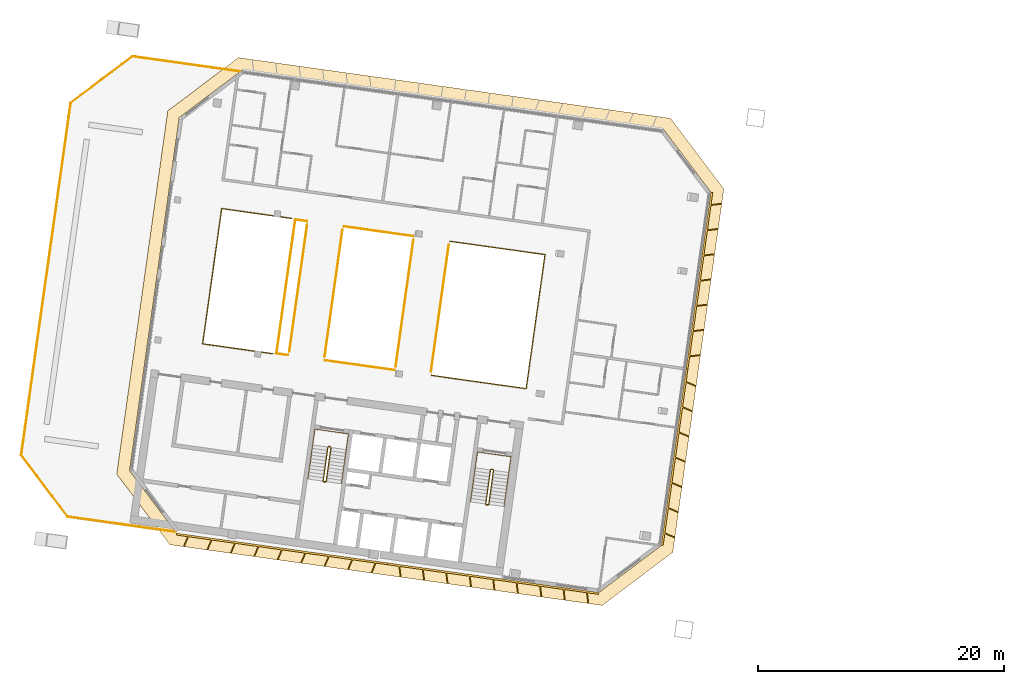
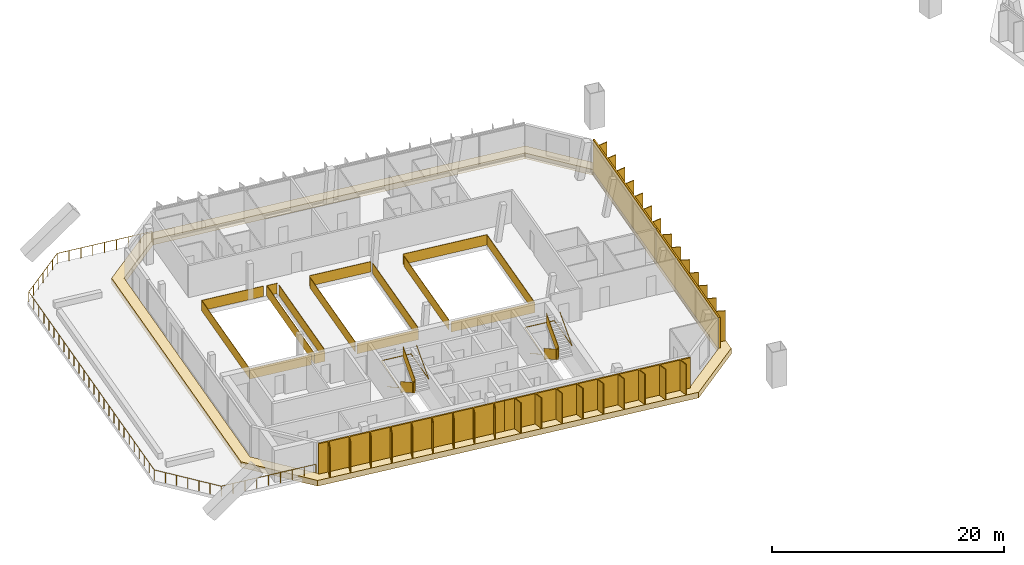
# One storey, part 17 of 19: 14 railings, 4 shading devices, 1 covering.
"""IFC4 building model written with IfcOpenShell, lengths in metres."""

from ifc_helpers import new_model, si_unit, direction, frame, origin, origin_2d, place, context, subcontext, project, spatial, polyline, rectangle, outline, extrude, material, layer, layer_set, type_object, element, save


model = new_model("IFC4")

# Units and contexts
model_context = context("Model", 3, precision=1e-05, world=origin(), true_north=direction((0.0, 1.0)))
body_context = subcontext(model_context, "Body", "Model", "MODEL_VIEW")
ifc_project = project(units=[si_unit("LENGTHUNIT", "METRE"), si_unit("AREAUNIT", "SQUARE_METRE"), si_unit("VOLUMEUNIT", "CUBIC_METRE"), si_unit("PLANEANGLEUNIT", "RADIAN"), si_unit("MASSUNIT", "GRAM", prefix="KILO")], contexts=[model_context])

# Site, building, storey
site_placement = place(None, origin())
site = spatial("IfcSite", under=ifc_project, at=site_placement, CompositionType="ELEMENT")
building_placement = place(site_placement, origin())
building = spatial("IfcBuilding", under=site, at=building_placement, Name="Mirante Cascada Hotel Towers", CompositionType="ELEMENT")
storey_placement = place(building_placement, frame((0.0, 0.0, 231.8)))
storey = spatial("IfcBuildingStorey", under=building, at=storey_placement, Name="L55", CompositionType="ELEMENT", Elevation=231.8)

# Railings
ifc_material_1 = material(Name="Toughened glass with stainless steel handrail", Category="steel")
railing_type_1 = type_object("IfcRailingType", Name="Atrium guard 1100 glass balustrade", PredefinedType="GUARDRAIL", material=ifc_material_1)
railing_1_placement = place(storey_placement, frame((-41.6219, 7.308, 0.0)))
element("IfcRailing", 1, at=railing_1_placement, inside=storey, type_object=railing_type_1, Name="GUARD 1-L55-1", PredefinedType="GUARDRAIL", context=body_context, shape_type="SweptSolid", body=[
    extrude(rectangle(XDim=0.048, YDim=0.048, at=origin_2d()), frame((0.0, 0.0, 1.076), z_axis=(0.9902688, -0.1391679, 0.0), x_axis=(0.1391679, 0.9902688, 0.0)), (0.0, 0.0, 1.0), 7.8042),
    extrude(rectangle(XDim=0.02, YDim=1.052, at=origin_2d()), frame((0.0, 0.0, 0.526), z_axis=(0.9902688, -0.1391679, 0.0), x_axis=(0.1391679, 0.9902688, 0.0)), (0.0, 0.0, 1.0), 7.8042),
    extrude(rectangle(XDim=0.048, YDim=0.048, at=origin_2d()), frame((7.7283, -1.0861, 1.076), z_axis=(-0.1391733, -0.990268, 0.0), x_axis=(0.990268, -0.1391733, 0.0)), (0.0, 0.0, 1.0), 11.0),
    extrude(rectangle(XDim=0.02, YDim=1.052, at=origin_2d()), frame((7.7283, -1.0861, 0.526), z_axis=(-0.1391733, -0.990268, 0.0), x_axis=(0.990268, -0.1391733, 0.0)), (0.0, 0.0, 1.0), 11.0),
    extrude(rectangle(XDim=0.048, YDim=0.048, at=origin_2d()), frame((6.1974, -11.979, 1.076), z_axis=(-0.9902688, 0.1391679, 0.0), x_axis=(-0.1391679, -0.9902688, 0.0)), (0.0, 0.0, 1.0), 7.8042),
    extrude(rectangle(XDim=0.02, YDim=1.052, at=origin_2d()), frame((6.1974, -11.979, 0.526), z_axis=(-0.9902688, 0.1391679, 0.0), x_axis=(-0.1391679, -0.9902688, 0.0)), (0.0, 0.0, 1.0), 7.8042),
])
railing_2_placement = place(storey_placement, frame((-46.1236, -3.1674, 0.0)))
element("IfcRailing", 2, at=railing_2_placement, inside=storey, type_object=railing_type_1, Name="GUARD 1-L55-2", PredefinedType="GUARDRAIL", context=body_context, shape_type="SweptSolid", body=[
    extrude(rectangle(XDim=0.048, YDim=0.048, at=origin_2d()), frame((0.0, 0.0, 1.076), z_axis=(-0.9902686, 0.139169, 0.0), x_axis=(-0.139169, -0.9902686, 0.0)), (0.0, 0.0, 1.0), 5.7319),
    extrude(rectangle(XDim=0.02, YDim=1.052, at=origin_2d()), frame((0.0, 0.0, 0.526), z_axis=(-0.9902686, 0.139169, 0.0), x_axis=(-0.139169, -0.9902686, 0.0)), (0.0, 0.0, 1.0), 5.7319),
])
railing_3_placement = place(storey_placement, frame((-50.2688, 8.5233, 0.0)))
element("IfcRailing", 3, at=railing_3_placement, inside=storey, type_object=railing_type_1, Name="GUARD 1-L55-3", PredefinedType="GUARDRAIL", context=body_context, shape_type="SweptSolid", body=[
    extrude(rectangle(XDim=0.048, YDim=0.048, at=origin_2d()), frame((0.0, 0.0, 1.076), z_axis=(0.9902686, -0.139169, 0.0), x_axis=(0.139169, 0.9902686, 0.0)), (0.0, 0.0, 1.0), 5.7319),
    extrude(rectangle(XDim=0.02, YDim=1.052, at=origin_2d()), frame((0.0, 0.0, 0.526), z_axis=(0.9902686, -0.139169, 0.0), x_axis=(0.139169, 0.9902686, 0.0)), (0.0, 0.0, 1.0), 5.7319),
])
railing_4_placement = place(storey_placement, frame((-54.7705, -1.9521, 0.0)))
element("IfcRailing", 4, at=railing_4_placement, inside=storey, type_object=railing_type_1, Name="GUARD 1-L55-4", PredefinedType="GUARDRAIL", context=body_context, shape_type="SweptSolid", body=[
    extrude(rectangle(XDim=0.048, YDim=0.048, at=origin_2d()), frame((0.0, 0.0, 1.076), z_axis=(-0.9902747, 0.1391261, 0.0), x_axis=(-0.1391261, -0.9902747, 0.0)), (0.0, 0.0, 1.0), 0.9639),
    extrude(rectangle(XDim=0.02, YDim=1.052, at=origin_2d()), frame((0.0, 0.0, 0.526), z_axis=(-0.9902747, 0.1391261, 0.0), x_axis=(-0.1391261, -0.9902747, 0.0)), (0.0, 0.0, 1.0), 0.9639),
    extrude(rectangle(XDim=0.048, YDim=0.048, at=origin_2d()), frame((-0.9545, 0.1341, 1.076), z_axis=(0.1391721, 0.9902682, 0.0), x_axis=(-0.9902682, 0.1391721, 0.0)), (0.0, 0.0, 1.0), 11.0001),
    extrude(rectangle(XDim=0.02, YDim=1.052, at=origin_2d()), frame((-0.9545, 0.1341, 0.526), z_axis=(0.1391721, 0.9902682, 0.0), x_axis=(-0.9902682, 0.1391721, 0.0)), (0.0, 0.0, 1.0), 11.0001),
    extrude(rectangle(XDim=0.048, YDim=0.048, at=origin_2d()), frame((0.5764, 11.0271, 1.076), z_axis=(0.9902604, -0.1392278, 0.0), x_axis=(0.1392278, 0.9902604, 0.0)), (0.0, 0.0, 1.0), 0.9639),
    extrude(rectangle(XDim=0.02, YDim=1.052, at=origin_2d()), frame((0.5764, 11.0271, 0.526), z_axis=(0.9902604, -0.1392278, 0.0), x_axis=(0.1392278, 0.9902604, 0.0)), (0.0, 0.0, 1.0), 0.9639),
])
railing_5_placement = place(storey_placement, frame((-54.4798, 9.1656, 0.0)))
element("IfcRailing", 5, at=railing_5_placement, inside=storey, type_object=railing_type_1, Name="GUARD 1-L55-5", PredefinedType="GUARDRAIL", context=body_context, shape_type="SweptSolid", body=[
    extrude(rectangle(XDim=0.048, YDim=0.048, at=origin_2d()), frame((0.0, 0.0, 1.076), z_axis=(-0.9902674, 0.1391779, 0.0), x_axis=(-0.1391779, -0.9902674, 0.0)), (0.0, 0.0, 1.0), 5.7545),
    extrude(rectangle(XDim=0.02, YDim=1.052, at=origin_2d()), frame((0.0, 0.0, 0.526), z_axis=(-0.9902674, 0.1391779, 0.0), x_axis=(-0.1391779, -0.9902674, 0.0)), (0.0, 0.0, 1.0), 5.7545),
    extrude(rectangle(XDim=0.048, YDim=0.048, at=origin_2d()), frame((-5.6985, 0.8009, 1.076), z_axis=(-0.1391697, -0.9902686, 0.0), x_axis=(0.9902686, -0.1391697, 0.0)), (0.0, 0.0, 1.0), 11.1001),
    extrude(rectangle(XDim=0.02, YDim=1.052, at=origin_2d()), frame((-5.6985, 0.8009, 0.526), z_axis=(-0.1391697, -0.9902686, 0.0), x_axis=(0.9902686, -0.1391697, 0.0)), (0.0, 0.0, 1.0), 11.1001),
    extrude(rectangle(XDim=0.048, YDim=0.048, at=origin_2d()), frame((-7.2433, -10.1912, 1.076), z_axis=(0.9902698, -0.1391608, 0.0), x_axis=(0.1391608, 0.9902698, 0.0)), (0.0, 0.0, 1.0), 5.7545),
    extrude(rectangle(XDim=0.02, YDim=1.052, at=origin_2d()), frame((-7.2433, -10.1912, 0.526), z_axis=(0.9902698, -0.1391608, 0.0), x_axis=(0.1391608, 0.9902698, 0.0)), (0.0, 0.0, 1.0), 5.7545),
])
railing_6_placement = place(storey_placement, frame((-54.6808, -1.6662, 0.0)))
element("IfcRailing", 6, at=railing_6_placement, inside=storey, type_object=railing_type_1, Name="GUARD 1-L55-6", PredefinedType="GUARDRAIL", context=body_context, shape_type="SweptSolid", body=[
    extrude(rectangle(XDim=0.048, YDim=0.048, at=origin_2d()), frame((0.0, 0.0, 1.076), z_axis=(0.1391721, 0.9902682, 0.0), x_axis=(-0.9902682, 0.1391721, 0.0)), (0.0, 0.0, 1.0), 10.4087),
    extrude(rectangle(XDim=0.02, YDim=1.052, at=origin_2d()), frame((0.0, 0.0, 0.526), z_axis=(0.1391721, 0.9902682, 0.0), x_axis=(-0.9902682, 0.1391721, 0.0)), (0.0, 0.0, 1.0), 10.4087),
])
railing_7_placement = place(storey_placement, frame((-50.3585, 8.2373, 0.0)))
element("IfcRailing", 7, at=railing_7_placement, inside=storey, type_object=railing_type_1, Name="GUARD 1-L55-7", PredefinedType="GUARDRAIL", context=body_context, shape_type="SweptSolid", body=[
    extrude(rectangle(XDim=0.048, YDim=0.048, at=origin_2d()), frame((0.0, 0.0, 1.076), z_axis=(-0.1391721, -0.9902682, 0.0), x_axis=(0.9902682, -0.1391721, 0.0)), (0.0, 0.0, 1.0), 10.4087),
    extrude(rectangle(XDim=0.02, YDim=1.052, at=origin_2d()), frame((0.0, 0.0, 0.526), z_axis=(-0.1391721, -0.9902682, 0.0), x_axis=(0.9902682, -0.1391721, 0.0)), (0.0, 0.0, 1.0), 10.4087),
])
railing_8_placement = place(storey_placement, frame((-46.0339, -2.8814, 0.0)))
element("IfcRailing", 8, at=railing_8_placement, inside=storey, type_object=railing_type_1, Name="GUARD 1-L55-8", PredefinedType="GUARDRAIL", context=body_context, shape_type="SweptSolid", body=[
    extrude(rectangle(XDim=0.048, YDim=0.048, at=origin_2d()), frame((0.0, 0.0, 1.076), z_axis=(0.1391721, 0.9902682, 0.0), x_axis=(-0.9902682, 0.1391721, 0.0)), (0.0, 0.0, 1.0), 10.4087),
    extrude(rectangle(XDim=0.02, YDim=1.052, at=origin_2d()), frame((0.0, 0.0, 0.526), z_axis=(0.1391721, 0.9902682, 0.0), x_axis=(-0.9902682, 0.1391721, 0.0)), (0.0, 0.0, 1.0), 10.4087),
])
railing_9_placement = place(storey_placement, frame((-41.7116, 7.0221, 0.0)))
element("IfcRailing", 9, at=railing_9_placement, inside=storey, type_object=railing_type_1, Name="GUARD 1-L55-9", PredefinedType="GUARDRAIL", context=body_context, shape_type="SweptSolid", body=[
    extrude(rectangle(XDim=0.048, YDim=0.048, at=origin_2d()), frame((0.0, 0.0, 1.076), z_axis=(-0.1391721, -0.9902682, 0.0), x_axis=(0.9902682, -0.1391721, 0.0)), (0.0, 0.0, 1.0), 10.4087),
    extrude(rectangle(XDim=0.02, YDim=1.052, at=origin_2d()), frame((0.0, 0.0, 0.526), z_axis=(-0.1391721, -0.9902682, 0.0), x_axis=(0.9902682, -0.1391721, 0.0)), (0.0, 0.0, 1.0), 10.4087),
])

# Covering
ifc_material_2 = material(Name="Precast concrete C40/50 white", Category="concrete")
ifc_layer = layer(ifc_material_2, 0.6)
ifc_layer_set = layer_set([ifc_layer], Name="Precast concrete SUNSHADE band 1000x600")
covering_type = type_object("IfcCoveringType", Name="Precast concrete SUNSHADE band 1000x600", PredefinedType="CLADDING", material=ifc_layer_set)
covering_placement = place(storey_placement, frame((0.0, 0.0, -0.45)))
element("IfcCovering", 10, at=covering_placement, inside=storey, type_object=covering_type, Name="Precast concrete SUNSHADE band T1 L55", PredefinedType="CLADDING", context=body_context, shape_type="SweptSolid", body=[
    extrude(outline(polyline([(-68.7156, -11.6197), (-64.5643, 17.9185), (-58.8202, 22.247), (-23.6774, 17.308), (-19.3489, 11.5639), (-23.5003, -17.9743), (-29.2443, -22.3028), (-64.3871, -17.3638), (-68.7156, -11.6197)]), holes=[polyline([(-20.3969, 11.2929), (-24.2268, 16.3754), (-58.5492, 21.199), (-63.6316, 17.3691), (-67.6677, -11.3487), (-63.8377, -16.4311), (-29.5154, -21.2548), (-24.4329, -17.4249), (-20.3969, 11.2929)])]), origin(), (0.0, 0.0, 1.0), 0.6),
])

# Railings
ifc_material_3 = material(Name="Painted steel", Category="steel")
railing_type_2 = type_object("IfcRailingType", Name="Stair guard 1100 steel balustrade", PredefinedType="GUARDRAIL", material=ifc_material_3)
railing_10_placement = place(storey_placement, frame((-38.1178, -11.2603, 0.0)))
element("IfcRailing", 11, at=railing_10_placement, inside=storey, type_object=railing_type_2, Name="L55 ST1-A stair guard 1", PredefinedType="GUARDRAIL", context=body_context, shape_type="SweptSolid", body=[
    extrude(rectangle(XDim=0.048, YDim=0.048, at=origin_2d()), frame((0.0, 0.0, 1.076), z_axis=(-0.9903326, 0.1387133, 0.0), x_axis=(-0.1387133, -0.9903326, 0.0)), (0.0, 0.0, 1.0), 0.1499),
    extrude(rectangle(XDim=0.02, YDim=1.052, at=origin_2d()), frame((0.0, 0.0, 0.526), z_axis=(-0.9903326, 0.1387133, 0.0), x_axis=(-0.1387133, -0.9903326, 0.0)), (0.0, 0.0, 1.0), 0.1499),
    extrude(rectangle(XDim=0.048, YDim=0.048, at=origin_2d()), frame((-0.1485, 0.0208, 1.076), z_axis=(-0.7991505, -0.6011309, 0.0), x_axis=(0.6011309, -0.7991505, 0.0)), (0.0, 0.9254529, 0.3788627), 0.1866),
    extrude(rectangle(XDim=0.02, YDim=1.052, at=origin_2d()), frame((-0.1485, 0.0208, 0.526), z_axis=(-0.7991505, -0.6011309, 0.0), x_axis=(0.6011309, -0.7991505, 0.0)), (0.0, 0.9254529, 0.3788627), 0.1866),
    extrude(rectangle(XDim=0.048, YDim=0.048, at=origin_2d()), frame((-0.205, -0.0217, 1.2487), z_axis=(-0.139176, -0.9902677, 0.0), x_axis=(0.9902677, -0.139176, 0.0)), (0.0, 0.5250212, 0.8510891), 3.29),
    extrude(rectangle(XDim=0.02, YDim=1.052, at=origin_2d()), frame((-0.205, -0.0217, 0.6987), z_axis=(-0.139176, -0.9902677, 0.0), x_axis=(0.9902677, -0.139176, 0.0)), (0.0, 0.5250212, 0.8510891), 3.29),
    extrude(rectangle(XDim=0.048, YDim=0.048, at=origin_2d()), frame((-0.5947, -2.7945, 2.976), z_axis=(0.9270311, -0.3749843, 0.0), x_axis=(0.3749843, 0.9270311, 0.0)), (0.0, 0.0, 1.0), 0.2061),
    extrude(rectangle(XDim=0.02, YDim=1.052, at=origin_2d()), frame((-0.5947, -2.7945, 2.426), z_axis=(0.9270311, -0.3749843, 0.0), x_axis=(0.3749843, 0.9270311, 0.0)), (0.0, 0.0, 1.0), 0.2061),
    extrude(rectangle(XDim=0.048, YDim=0.048, at=origin_2d()), frame((-0.4036, -2.8718, 2.976), z_axis=(-0.9902408, 0.1393672, 0.0), x_axis=(-0.1393672, -0.9902408, 0.0)), (0.0, 0.0, 1.0), 0.15),
    extrude(rectangle(XDim=0.02, YDim=1.052, at=origin_2d()), frame((-0.4036, -2.8718, 2.426), z_axis=(-0.9902408, 0.1393672, 0.0), x_axis=(-0.1393672, -0.9902408, 0.0)), (0.0, 0.0, 1.0), 0.15),
    extrude(rectangle(XDim=0.048, YDim=0.048, at=origin_2d()), frame((-0.5521, -2.8509, 2.976), z_axis=(0.9944948, 0.1047858, 0.0), x_axis=(-0.1047858, 0.9944948, 0.0)), (0.0, 0.6422034, 0.7665343), 0.2689),
    extrude(rectangle(XDim=0.02, YDim=1.052, at=origin_2d()), frame((-0.5521, -2.8509, 2.426), z_axis=(0.9944948, 0.1047858, 0.0), x_axis=(-0.1047858, 0.9944948, 0.0)), (0.0, 0.6422034, 0.7665343), 0.2689),
    extrude(rectangle(XDim=0.048, YDim=0.048, at=origin_2d()), frame((-0.3471, -2.8293, 3.1487), z_axis=(0.139176, 0.9902677, 0.0), x_axis=(-0.9902677, 0.139176, 0.0)), (0.0, 0.5250212, 0.8510891), 3.29),
    extrude(rectangle(XDim=0.02, YDim=1.052, at=origin_2d()), frame((-0.3471, -2.8293, 2.5987), z_axis=(0.139176, 0.9902677, 0.0), x_axis=(-0.9902677, 0.139176, 0.0)), (0.0, 0.5250212, 0.8510891), 3.29),
])
railing_11_placement = place(storey_placement, frame((-51.3379, -9.4024, 0.0)))
element("IfcRailing", 12, at=railing_11_placement, inside=storey, type_object=railing_type_2, Name="L55 ST1-B stair guard 1", PredefinedType="GUARDRAIL", context=body_context, shape_type="SweptSolid", body=[
    extrude(rectangle(XDim=0.048, YDim=0.048, at=origin_2d()), frame((0.0, 0.0, 1.076), z_axis=(-0.9902408, 0.1393672, 0.0), x_axis=(-0.1393672, -0.9902408, 0.0)), (0.0, 0.0, 1.0), 0.15),
    extrude(rectangle(XDim=0.02, YDim=1.052, at=origin_2d()), frame((0.0, 0.0, 0.526), z_axis=(-0.9902408, 0.1393672, 0.0), x_axis=(-0.1393672, -0.9902408, 0.0)), (0.0, 0.0, 1.0), 0.15),
    extrude(rectangle(XDim=0.048, YDim=0.048, at=origin_2d()), frame((-0.1485, 0.0209, 1.076), z_axis=(-0.7984711, -0.6020331, 0.0), x_axis=(0.6020331, -0.7984711, 0.0)), (0.0, 0.9253398, 0.3791387), 0.1866),
    extrude(rectangle(XDim=0.02, YDim=1.052, at=origin_2d()), frame((-0.1485, 0.0209, 0.526), z_axis=(-0.7984711, -0.6020331, 0.0), x_axis=(0.6020331, -0.7984711, 0.0)), (0.0, 0.9253398, 0.3791387), 0.1866),
    extrude(rectangle(XDim=0.048, YDim=0.048, at=origin_2d()), frame((-0.205, -0.0217, 1.2487), z_axis=(-0.139181, -0.990267, 0.0), x_axis=(0.990267, -0.139181, 0.0)), (0.0, 0.5250347, 0.8510808), 3.2899),
    extrude(rectangle(XDim=0.02, YDim=1.052, at=origin_2d()), frame((-0.205, -0.0217, 0.6987), z_axis=(-0.139181, -0.990267, 0.0), x_axis=(0.990267, -0.139181, 0.0)), (0.0, 0.5250347, 0.8510808), 3.2899),
    extrude(rectangle(XDim=0.048, YDim=0.048, at=origin_2d()), frame((-0.5947, -2.7944, 2.976), z_axis=(0.9268624, -0.3754011, 0.0), x_axis=(0.3754011, 0.9268624, 0.0)), (0.0, 0.0, 1.0), 0.2062),
    extrude(rectangle(XDim=0.02, YDim=1.052, at=origin_2d()), frame((-0.5947, -2.7944, 2.426), z_axis=(0.9268624, -0.3754011, 0.0), x_axis=(0.3754011, 0.9268624, 0.0)), (0.0, 0.0, 1.0), 0.2062),
    extrude(rectangle(XDim=0.048, YDim=0.048, at=origin_2d()), frame((-0.4036, -2.8718, 2.976), z_axis=(-0.9902408, 0.1393672, 0.0), x_axis=(-0.1393672, -0.9902408, 0.0)), (0.0, 0.0, 1.0), 0.15),
    extrude(rectangle(XDim=0.02, YDim=1.052, at=origin_2d()), frame((-0.4036, -2.8718, 2.426), z_axis=(-0.9902408, 0.1393672, 0.0), x_axis=(-0.1393672, -0.9902408, 0.0)), (0.0, 0.0, 1.0), 0.15),
    extrude(rectangle(XDim=0.048, YDim=0.048, at=origin_2d()), frame((-0.5521, -2.8509, 2.976), z_axis=(0.9944441, 0.1052656, 0.0), x_axis=(-0.1052656, 0.9944441, 0.0)), (0.0, 0.6421842, 0.7665504), 0.2689),
    extrude(rectangle(XDim=0.02, YDim=1.052, at=origin_2d()), frame((-0.5521, -2.8509, 2.426), z_axis=(0.9944441, 0.1052656, 0.0), x_axis=(-0.1052656, 0.9944441, 0.0)), (0.0, 0.6421842, 0.7665504), 0.2689),
    extrude(rectangle(XDim=0.048, YDim=0.048, at=origin_2d()), frame((-0.3471, -2.8292, 3.1487), z_axis=(0.139181, 0.990267, 0.0), x_axis=(-0.990267, 0.139181, 0.0)), (0.0, 0.5250347, 0.8510808), 3.2899),
    extrude(rectangle(XDim=0.02, YDim=1.052, at=origin_2d()), frame((-0.3471, -2.8292, 2.5987), z_axis=(0.139181, 0.990267, 0.0), x_axis=(-0.990267, 0.139181, 0.0)), (0.0, 0.5250347, 0.8510808), 3.2899),
])
ifc_material_4 = material(Name="Painted steel", Category="steel")
railing_type_3 = type_object("IfcRailingType", Name="Stair handrail 900 steel tube", PredefinedType="HANDRAIL", material=ifc_material_4)
railing_12_placement = place(storey_placement, frame((-39.5606, -11.1081, 0.1727)))
element("IfcRailing", 13, at=railing_12_placement, inside=storey, type_object=railing_type_3, Name="L55 ST1-A stair handrail 1", PredefinedType="HANDRAIL", context=body_context, shape_type="SweptSolid", body=[
    extrude(rectangle(XDim=0.048, YDim=0.048, at=origin_2d()), frame((0.0, 0.0, 0.876), z_axis=(-0.139181, -0.990267, 0.0), x_axis=(0.990267, -0.139181, 0.0)), (0.0, 0.5250347, 0.8510808), 3.2899),
    extrude(rectangle(XDim=0.048, YDim=0.048, at=origin_2d()), frame((-0.3897, -2.7727, 2.6033), z_axis=(0.1391707, 0.9902684, 0.0), x_axis=(-0.9902684, 0.1391707, 0.0)), (0.0, 0.0420846, 0.999114), 4.1036),
    extrude(rectangle(XDim=0.048, YDim=0.048, at=origin_2d()), frame((0.1809, 1.2874, 2.776), z_axis=(0.9902691, -0.1391657, 0.0), x_axis=(0.1391657, 0.9902691, 0.0)), (0.0, 0.0, 1.0), 2.75),
    extrude(rectangle(XDim=0.048, YDim=0.048, at=origin_2d()), frame((2.9041, 0.9047, 2.776), z_axis=(-0.1391707, -0.9902684, 0.0), x_axis=(0.9902684, -0.1391707, 0.0)), (0.0, 0.0, 1.0), 4.1),
    extrude(rectangle(XDim=0.048, YDim=0.048, at=origin_2d()), frame((2.3335, -3.1554, 2.776), z_axis=(0.139181, 0.990267, 0.0), x_axis=(-0.990267, 0.139181, 0.0)), (0.0, 0.5250347, 0.8510808), 3.2899),
])
railing_13_placement = place(storey_placement, frame((-52.7807, -9.2501, 0.1727)))
element("IfcRailing", 14, at=railing_13_placement, inside=storey, type_object=railing_type_3, Name="L55 ST1-B stair handrail 1", PredefinedType="HANDRAIL", context=body_context, shape_type="SweptSolid", body=[
    extrude(rectangle(XDim=0.048, YDim=0.048, at=origin_2d()), frame((0.0, 0.0, 0.876), z_axis=(-0.139181, -0.990267, 0.0), x_axis=(0.990267, -0.139181, 0.0)), (0.0, 0.5250347, 0.8510808), 3.2899),
    extrude(rectangle(XDim=0.048, YDim=0.048, at=origin_2d()), frame((-0.3897, -2.7727, 2.6033), z_axis=(0.1391707, 0.9902684, 0.0), x_axis=(-0.9902684, 0.1391707, 0.0)), (0.0, 0.0420846, 0.999114), 4.1036),
    extrude(rectangle(XDim=0.048, YDim=0.048, at=origin_2d()), frame((0.1809, 1.2874, 2.776), z_axis=(0.9902641, -0.1392013, 0.0), x_axis=(0.1392013, 0.9902641, 0.0)), (0.0, 0.0, 1.0), 2.75),
    extrude(rectangle(XDim=0.048, YDim=0.048, at=origin_2d()), frame((2.9041, 0.9046, 2.776), z_axis=(-0.1391707, -0.9902684, 0.0), x_axis=(0.9902684, -0.1391707, 0.0)), (0.0, 0.0, 1.0), 4.1),
    extrude(rectangle(XDim=0.048, YDim=0.048, at=origin_2d()), frame((2.3335, -3.1555, 2.776), z_axis=(0.139176, 0.9902677, 0.0), x_axis=(-0.9902677, 0.139176, 0.0)), (0.0, 0.5250212, 0.8510891), 3.29),
])
ifc_material_5 = material(Name="Stainless steel AISI 316", Category="steel")
railing_type_4 = type_object("IfcRailingType", Name="Terrace guard 1100", PredefinedType="GUARDRAIL", material=ifc_material_5)
railing_14_placement = place(storey_placement, frame((-58.6901, 21.1179, 0.0)))
element("IfcRailing", 15, at=railing_14_placement, inside=storey, type_object=railing_type_4, Name="GUARD T1 L55 terrace 1", PredefinedType="GUARDRAIL", context=body_context, shape_type="SweptSolid", body=[
    extrude(outline(polyline([(0.025, 0.0104), (0.0104, 0.025), (-0.0104, 0.025), (-0.025, 0.0104), (-0.025, -0.0104), (-0.0104, -0.025), (0.0104, -0.025), (0.025, -0.0104), (0.025, 0.0104)])), frame((0.0, 0.0, 1.075), z_axis=(-0.9902688, 0.1391681, 0.0), x_axis=(-0.1391681, -0.9902688, 0.0)), (0.0, 0.0, 1.0), 8.8303),
    extrude(outline(polyline([(0.025, 0.0104), (0.0104, 0.025), (-0.0104, 0.025), (-0.025, 0.0104), (-0.025, -0.0104), (-0.0104, -0.025), (0.0104, -0.025), (0.025, -0.0104), (0.025, 0.0104)])), frame((-8.7444, 1.2289, 1.075), z_axis=(-0.7986319, -0.6018198, 0.0), x_axis=(0.6018198, -0.7986319, 0.0)), (0.0, 0.0, 1.0), 6.2811),
    extrude(outline(polyline([(0.025, 0.0104), (0.0104, 0.025), (-0.0104, 0.025), (-0.025, 0.0104), (-0.025, -0.0104), (-0.0104, -0.025), (0.0104, -0.025), (0.025, -0.0104), (0.025, 0.0104)])), frame((-13.7607, -2.5512, 1.075), z_axis=(-0.1391736, -0.990268, 0.0), x_axis=(0.990268, -0.1391736, 0.0)), (0.0, 0.0, 1.0), 28.9171),
    extrude(outline(polyline([(0.025, 0.0104), (0.0104, 0.025), (-0.0104, 0.025), (-0.025, 0.0104), (-0.025, -0.0104), (-0.0104, -0.025), (0.0104, -0.025), (0.025, -0.0104), (0.025, 0.0104)])), frame((-17.7852, -31.1869, 1.075), z_axis=(0.6018198, -0.7986319, 0.0), x_axis=(0.7986319, 0.6018198, 0.0)), (0.0, 0.0, 1.0), 6.2811),
    extrude(outline(polyline([(0.025, 0.0104), (0.0104, 0.025), (-0.0104, 0.025), (-0.025, 0.0104), (-0.025, -0.0104), (-0.0104, -0.025), (0.0104, -0.025), (0.025, -0.0104), (0.025, 0.0104)])), frame((-14.0051, -36.2032, 1.075), z_axis=(0.990267, -0.1391807, 0.0), x_axis=(0.1391807, 0.990267, 0.0)), (0.0, 0.0, 1.0), 8.8302),
    extrude(rectangle(XDim=0.05, YDim=0.05, at=origin_2d()), origin(), (0.0, 0.0, 1.0), 1.05),
    extrude(rectangle(XDim=0.05, YDim=0.05, at=origin_2d()), frame((-1.093, 0.1536, 0.0)), (0.0, 0.0, 1.0), 1.05),
    extrude(rectangle(XDim=0.05, YDim=0.05, at=origin_2d()), frame((-2.1861, 0.3072, 0.0)), (0.0, 0.0, 1.0), 1.05),
    extrude(rectangle(XDim=0.05, YDim=0.05, at=origin_2d()), frame((-3.2791, 0.4608, 0.0)), (0.0, 0.0, 1.0), 1.05),
    extrude(rectangle(XDim=0.05, YDim=0.05, at=origin_2d()), frame((-4.3722, 0.6145, 0.0)), (0.0, 0.0, 1.0), 1.05),
    extrude(rectangle(XDim=0.05, YDim=0.05, at=origin_2d()), frame((-5.4652, 0.7681, 0.0)), (0.0, 0.0, 1.0), 1.05),
    extrude(rectangle(XDim=0.05, YDim=0.05, at=origin_2d()), frame((-6.5583, 0.9217, 0.0)), (0.0, 0.0, 1.0), 1.05),
    extrude(rectangle(XDim=0.05, YDim=0.05, at=origin_2d()), frame((-7.6513, 1.0753, 0.0)), (0.0, 0.0, 1.0), 1.05),
    extrude(rectangle(XDim=0.05, YDim=0.05, at=origin_2d()), frame((-8.7444, 1.2289, 0.0)), (0.0, 0.0, 1.0), 1.05),
    extrude(rectangle(XDim=0.05, YDim=0.05, at=origin_2d()), frame((-9.5804, 0.5989, 0.0)), (0.0, 0.0, 1.0), 1.05),
    extrude(rectangle(XDim=0.05, YDim=0.05, at=origin_2d()), frame((-10.4165, -0.0311, 0.0)), (0.0, 0.0, 1.0), 1.05),
    extrude(rectangle(XDim=0.05, YDim=0.05, at=origin_2d()), frame((-11.2526, -0.6611, 0.0)), (0.0, 0.0, 1.0), 1.05),
    extrude(rectangle(XDim=0.05, YDim=0.05, at=origin_2d()), frame((-12.0886, -1.2912, 0.0)), (0.0, 0.0, 1.0), 1.05),
    extrude(rectangle(XDim=0.05, YDim=0.05, at=origin_2d()), frame((-12.9246, -1.9212, 0.0)), (0.0, 0.0, 1.0), 1.05),
    extrude(rectangle(XDim=0.05, YDim=0.05, at=origin_2d()), frame((-13.7607, -2.5512, 0.0)), (0.0, 0.0, 1.0), 1.05),
    extrude(rectangle(XDim=0.05, YDim=0.05, at=origin_2d()), frame((-13.9217, -3.6966, 0.0)), (0.0, 0.0, 1.0), 1.05),
    extrude(rectangle(XDim=0.05, YDim=0.05, at=origin_2d()), frame((-14.0827, -4.8421, 0.0)), (0.0, 0.0, 1.0), 1.05),
    extrude(rectangle(XDim=0.05, YDim=0.05, at=origin_2d()), frame((-14.2436, -5.9875, 0.0)), (0.0, 0.0, 1.0), 1.05),
    extrude(rectangle(XDim=0.05, YDim=0.05, at=origin_2d()), frame((-14.4046, -7.1329, 0.0)), (0.0, 0.0, 1.0), 1.05),
    extrude(rectangle(XDim=0.05, YDim=0.05, at=origin_2d()), frame((-14.5656, -8.2783, 0.0)), (0.0, 0.0, 1.0), 1.05),
    extrude(rectangle(XDim=0.05, YDim=0.05, at=origin_2d()), frame((-14.7266, -9.4238, 0.0)), (0.0, 0.0, 1.0), 1.05),
    extrude(rectangle(XDim=0.05, YDim=0.05, at=origin_2d()), frame((-14.8876, -10.5692, 0.0)), (0.0, 0.0, 1.0), 1.05),
    extrude(rectangle(XDim=0.05, YDim=0.05, at=origin_2d()), frame((-15.0485, -11.7146, 0.0)), (0.0, 0.0, 1.0), 1.05),
    extrude(rectangle(XDim=0.05, YDim=0.05, at=origin_2d()), frame((-15.2095, -12.8601, 0.0)), (0.0, 0.0, 1.0), 1.05),
    extrude(rectangle(XDim=0.05, YDim=0.05, at=origin_2d()), frame((-15.3705, -14.0055, 0.0)), (0.0, 0.0, 1.0), 1.05),
    extrude(rectangle(XDim=0.05, YDim=0.05, at=origin_2d()), frame((-15.5315, -15.1509, 0.0)), (0.0, 0.0, 1.0), 1.05),
    extrude(rectangle(XDim=0.05, YDim=0.05, at=origin_2d()), frame((-15.6925, -16.2963, 0.0)), (0.0, 0.0, 1.0), 1.05),
    extrude(rectangle(XDim=0.05, YDim=0.05, at=origin_2d()), frame((-15.8534, -17.4418, 0.0)), (0.0, 0.0, 1.0), 1.05),
    extrude(rectangle(XDim=0.05, YDim=0.05, at=origin_2d()), frame((-16.0144, -18.5872, 0.0)), (0.0, 0.0, 1.0), 1.05),
    extrude(rectangle(XDim=0.05, YDim=0.05, at=origin_2d()), frame((-16.1754, -19.7326, 0.0)), (0.0, 0.0, 1.0), 1.05),
    extrude(rectangle(XDim=0.05, YDim=0.05, at=origin_2d()), frame((-16.3364, -20.878, 0.0)), (0.0, 0.0, 1.0), 1.05),
    extrude(rectangle(XDim=0.05, YDim=0.05, at=origin_2d()), frame((-16.4974, -22.0235, 0.0)), (0.0, 0.0, 1.0), 1.05),
    extrude(rectangle(XDim=0.05, YDim=0.05, at=origin_2d()), frame((-16.6583, -23.1689, 0.0)), (0.0, 0.0, 1.0), 1.05),
    extrude(rectangle(XDim=0.05, YDim=0.05, at=origin_2d()), frame((-16.8193, -24.3143, 0.0)), (0.0, 0.0, 1.0), 1.05),
    extrude(rectangle(XDim=0.05, YDim=0.05, at=origin_2d()), frame((-16.9803, -25.4598, 0.0)), (0.0, 0.0, 1.0), 1.05),
    extrude(rectangle(XDim=0.05, YDim=0.05, at=origin_2d()), frame((-17.1413, -26.6052, 0.0)), (0.0, 0.0, 1.0), 1.05),
    extrude(rectangle(XDim=0.05, YDim=0.05, at=origin_2d()), frame((-17.3023, -27.7506, 0.0)), (0.0, 0.0, 1.0), 1.05),
    extrude(rectangle(XDim=0.05, YDim=0.05, at=origin_2d()), frame((-17.4632, -28.896, 0.0)), (0.0, 0.0, 1.0), 1.05),
    extrude(rectangle(XDim=0.05, YDim=0.05, at=origin_2d()), frame((-17.6242, -30.0415, 0.0)), (0.0, 0.0, 1.0), 1.05),
    extrude(rectangle(XDim=0.05, YDim=0.05, at=origin_2d()), frame((-17.7852, -31.1869, 0.0)), (0.0, 0.0, 1.0), 1.05),
    extrude(rectangle(XDim=0.05, YDim=0.05, at=origin_2d()), frame((-17.1552, -32.023, 0.0)), (0.0, 0.0, 1.0), 1.05),
    extrude(rectangle(XDim=0.05, YDim=0.05, at=origin_2d()), frame((-16.5252, -32.859, 0.0)), (0.0, 0.0, 1.0), 1.05),
    extrude(rectangle(XDim=0.05, YDim=0.05, at=origin_2d()), frame((-15.8952, -33.695, 0.0)), (0.0, 0.0, 1.0), 1.05),
    extrude(rectangle(XDim=0.05, YDim=0.05, at=origin_2d()), frame((-15.2651, -34.5311, 0.0)), (0.0, 0.0, 1.0), 1.05),
    extrude(rectangle(XDim=0.05, YDim=0.05, at=origin_2d()), frame((-14.6351, -35.3671, 0.0)), (0.0, 0.0, 1.0), 1.05),
    extrude(rectangle(XDim=0.05, YDim=0.05, at=origin_2d()), frame((-14.0051, -36.2032, 0.0)), (0.0, 0.0, 1.0), 1.05),
    extrude(rectangle(XDim=0.05, YDim=0.05, at=origin_2d()), frame((-12.9121, -36.3568, 0.0)), (0.0, 0.0, 1.0), 1.05),
    extrude(rectangle(XDim=0.05, YDim=0.05, at=origin_2d()), frame((-11.819, -36.5104, 0.0)), (0.0, 0.0, 1.0), 1.05),
    extrude(rectangle(XDim=0.05, YDim=0.05, at=origin_2d()), frame((-10.726, -36.6641, 0.0)), (0.0, 0.0, 1.0), 1.05),
    extrude(rectangle(XDim=0.05, YDim=0.05, at=origin_2d()), frame((-9.6329, -36.8177, 0.0)), (0.0, 0.0, 1.0), 1.05),
    extrude(rectangle(XDim=0.05, YDim=0.05, at=origin_2d()), frame((-8.5399, -36.9713, 0.0)), (0.0, 0.0, 1.0), 1.05),
    extrude(rectangle(XDim=0.05, YDim=0.05, at=origin_2d()), frame((-7.4469, -37.125, 0.0)), (0.0, 0.0, 1.0), 1.05),
    extrude(rectangle(XDim=0.05, YDim=0.05, at=origin_2d()), frame((-6.3538, -37.2786, 0.0)), (0.0, 0.0, 1.0), 1.05),
    extrude(rectangle(XDim=0.05, YDim=0.05, at=origin_2d()), frame((-5.2608, -37.4322, 0.0)), (0.0, 0.0, 1.0), 1.05),
])

# Shading devices
ifc_material_6 = material(Name="White precast concrete C50/60 fin", Category="concrete")
shading_device_type = type_object("IfcShadingDeviceType", Name="Vertical fin set 4500x900", PredefinedType="USERDEFINED", material=ifc_material_6)
shading_device_1_placement = place(storey_placement, origin())
element("IfcShadingDevice", 16, at=shading_device_1_placement, inside=storey, type_object=shading_device_type, Name="FIN T1 L55 inner 1", ObjectType="FIN", PredefinedType="USERDEFINED", context=body_context, shape_type="SweptSolid", body=[
    extrude(outline(polyline([(-22.1261, -2.089), (-22.2663, -3.0869), (-22.4149, -3.066), (-20.3969, 11.2929), (-20.2483, 11.272), (-20.3848, 10.3006), (-19.5536, 10.4027), (-19.5438, 10.3233), (-20.3964, 10.2186), (-20.6731, 8.2494), (-19.8418, 8.3514), (-19.8321, 8.272), (-20.6846, 8.1673), (-20.9614, 6.1981), (-20.1301, 6.3002), (-20.1204, 6.2208), (-20.9729, 6.1161), (-21.2497, 4.1468), (-20.4184, 4.2489), (-20.4087, 4.1695), (-21.2612, 4.0648), (-21.538, 2.0956), (-20.7067, 2.1976), (-20.697, 2.1182), (-21.5495, 2.0135), (-21.8263, 0.0443), (-20.995, 0.1463), (-20.9852, 0.0669), (-21.8378, -0.0377), (-22.1146, -2.007), (-21.2833, -1.9049), (-21.2735, -1.9843), (-22.1261, -2.089)])), origin(), (0.0, 0.0, 1.0), 3.35),
])
shading_device_2_placement = place(storey_placement, origin())
element("IfcShadingDevice", 17, at=shading_device_2_placement, inside=storey, type_object=shading_device_type, Name="FIN T1 L55 inner 2", ObjectType="FIN", PredefinedType="USERDEFINED", context=body_context, shape_type="SweptSolid", body=[
    extrude(outline(polyline([(-24.1478, -16.4744), (-24.2843, -17.4458), (-24.4329, -17.4249), (-22.4149, -3.066), (-22.2663, -3.0869), (-22.4066, -4.0848), (-21.6159, -4.4204), (-21.6472, -4.4941), (-22.4181, -4.1668), (-22.6949, -6.1361), (-21.9042, -6.4717), (-21.9354, -6.5453), (-22.7064, -6.2181), (-22.9831, -8.1873), (-22.1925, -8.523), (-22.2237, -8.5966), (-22.9947, -8.2693), (-23.2714, -10.2386), (-22.4808, -10.5742), (-22.512, -10.6479), (-23.283, -10.3206), (-23.5597, -12.2899), (-22.769, -12.6255), (-22.8003, -12.6991), (-23.5712, -12.3719), (-23.848, -14.3411), (-23.0573, -14.6768), (-23.0886, -14.7504), (-23.8595, -14.4232), (-24.1363, -16.3924), (-23.3456, -16.728), (-23.3769, -16.8017), (-24.1478, -16.4744)])), origin(), (0.0, 0.0, 1.0), 3.35),
])
shading_device_3_placement = place(storey_placement, origin())
element("IfcShadingDevice", 18, at=shading_device_3_placement, inside=storey, type_object=shading_device_type, Name="FIN T1 L55 rear 1", ObjectType="FIN", PredefinedType="USERDEFINED", context=body_context, shape_type="SweptSolid", body=[
    extrude(outline(polyline([(-30.5174, -21.2655), (-32.3422, -21.009), (-32.2401, -21.8403), (-32.3195, -21.8501), (-32.4242, -20.9975), (-34.249, -20.741), (-34.1469, -21.5723), (-34.2263, -21.5821), (-34.331, -20.7295), (-36.1558, -20.4731), (-36.0537, -21.3043), (-36.1331, -21.3141), (-36.2378, -20.4615), (-38.0626, -20.2051), (-37.9605, -21.0364), (-38.0399, -21.0461), (-38.1446, -20.1936), (-39.9694, -19.9371), (-39.8673, -20.7684), (-39.9467, -20.7781), (-40.0514, -19.9256), (-41.8761, -19.6691), (-41.7741, -20.5004), (-41.8535, -20.5101), (-41.9582, -19.6576), (-43.7829, -19.4011), (-43.6809, -20.2324), (-43.7603, -20.2422), (-43.865, -19.3896), (-45.6897, -19.1331), (-45.5877, -19.9644), (-45.6671, -19.9742), (-45.7718, -19.1216), (-46.6974, -18.9915), (-46.6765, -18.843), (-29.5154, -21.2548), (-29.5362, -21.4034), (-30.4354, -21.277), (-30.3333, -22.1083), (-30.4127, -22.118), (-30.5174, -21.2655)])), origin(), (0.0, 0.0, 1.0), 3.35),
])
shading_device_4_placement = place(storey_placement, origin())
element("IfcShadingDevice", 19, at=shading_device_4_placement, inside=storey, type_object=shading_device_type, Name="FIN T1 L55 rear 2", ObjectType="FIN", PredefinedType="USERDEFINED", context=body_context, shape_type="SweptSolid", body=[
    extrude(outline(polyline([(-47.7051, -18.8499), (-49.5299, -18.5935), (-49.8655, -19.3841), (-49.9391, -19.3529), (-49.6119, -18.5819), (-51.4367, -18.3255), (-51.7723, -19.1161), (-51.8459, -19.0849), (-51.5187, -18.3139), (-53.3435, -18.0575), (-53.6791, -18.8482), (-53.7527, -18.8169), (-53.4255, -18.046), (-55.2503, -17.7895), (-55.5859, -18.5802), (-55.6595, -18.5489), (-55.3323, -17.778), (-57.1571, -17.5215), (-57.4927, -18.3122), (-57.5663, -18.2809), (-57.2391, -17.51), (-59.0639, -17.2535), (-59.3995, -18.0442), (-59.4731, -18.013), (-59.1459, -17.242), (-60.9707, -16.9856), (-61.3063, -17.7762), (-61.3799, -17.745), (-61.0527, -16.974), (-62.8775, -16.7176), (-63.2131, -17.5082), (-63.2867, -17.477), (-62.9595, -16.706), (-63.8586, -16.5797), (-63.8377, -16.4311), (-46.6765, -18.843), (-46.6974, -18.9915), (-47.6231, -18.8614), (-47.9587, -19.6521), (-48.0323, -19.6208), (-47.7051, -18.8499)])), origin(), (0.0, 0.0, 1.0), 3.35),
])

save(model, "model.ifc")
